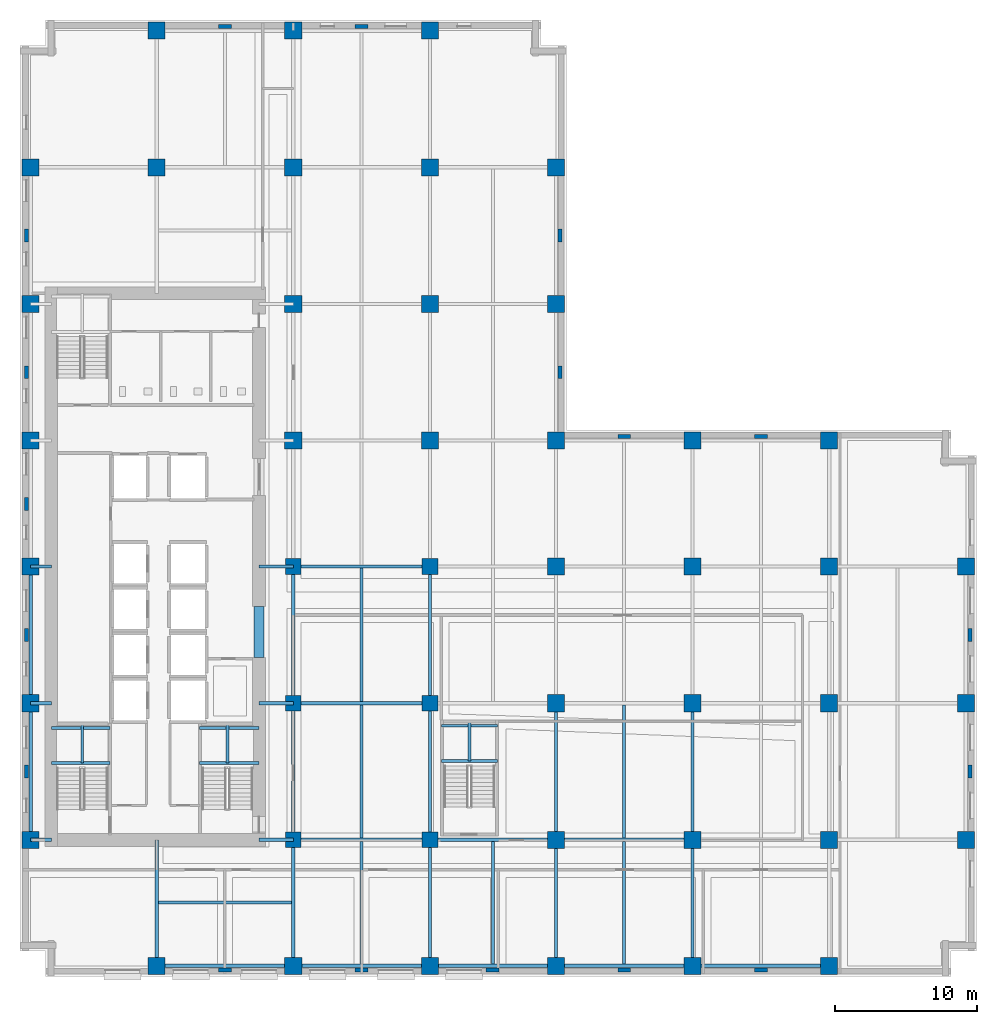
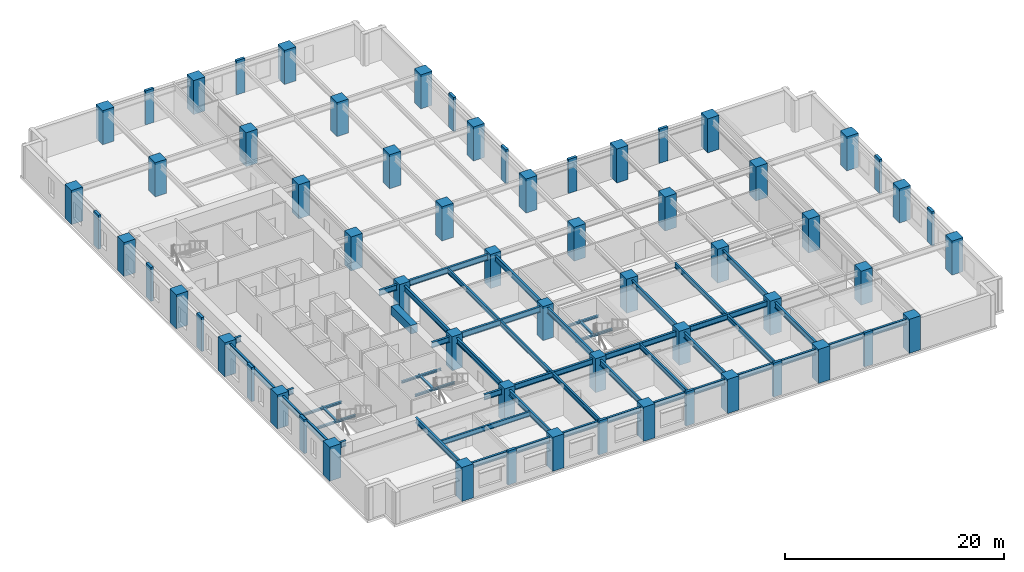
# One storey, part 1 of 14: 63 columns, 46 beams.
"""IFC4 building model written with IfcOpenShell, lengths in metres."""

from ifc_helpers import new_model, si_unit, direction, frame, origin, origin_2d, place, context, subcontext, project, spatial, rectangle, i_section, extrude, material, material_profile, profile_set, type_object, element, save


model = new_model("IFC4")

# Units and contexts
model_context = context("Model", 3, precision=1e-05, world=origin(), true_north=direction((0.0, 1.0)))
body_context = subcontext(model_context, "Body", "Model", "MODEL_VIEW")
ifc_project = project(units=[si_unit("LENGTHUNIT", "METRE"), si_unit("AREAUNIT", "SQUARE_METRE"), si_unit("VOLUMEUNIT", "CUBIC_METRE"), si_unit("PLANEANGLEUNIT", "RADIAN"), si_unit("MASSUNIT", "GRAM", prefix="KILO")], contexts=[model_context])

# Site, building, storey
site_placement = place(None, origin())
site = spatial("IfcSite", under=ifc_project, at=site_placement, CompositionType="ELEMENT")
building_placement = place(site_placement, origin())
building = spatial("IfcBuilding", under=site, at=building_placement, Name="Norrvale University Quadrangle", CompositionType="ELEMENT")
storey_placement = place(building_placement, frame((0.0, 0.0, 28.0)))
storey = spatial("IfcBuildingStorey", under=building, at=storey_placement, Name="L06", CompositionType="ELEMENT", Elevation=28.0)

# Columns
ifc_material_1 = material(Name="Buff Brick Concrete C60/75", Category="concrete")
ifc_material_profile_1 = material_profile(ifc_material_1, rectangle(XDim=0.89990234375, YDim=0.280029296875, at=origin_2d()), Name="Buff Brick Concrete C60/75")
ifc_profile_set_1 = profile_set([ifc_material_profile_1], Name="Buff Brick Concrete C60/75")
column_type_1 = type_object("IfcColumnType", Name="Column Buff Pier 900x280", PredefinedType="PILASTER", material=ifc_profile_set_1)
for number, where, z_axis, x_axis, name in (
    (1, (0.449951171875, 14.39990234375, 0.0), (0.0, 0.0, 1.0), (0.0, 1.0, 0.0), "Exterior Brick Facade Pilaster L06-01"),
    (2, (0.449951171875, 24.0, 0.0), (0.0, 0.0, 1.0), (0.0, 1.0, 0.0), "Exterior Brick Facade Pilaster L06-02"),
    (3, (0.449951171875, 33.199951171875, 0.0), (0.0, 0.0, 1.0), (0.0, 1.0, 0.0), "Exterior Brick Facade Pilaster L06-03"),
    (4, (0.449951171875, 42.449951171875, 0.0), (0.0, 0.0, 1.0), (0.0, 1.0, 0.0), "Exterior Brick Facade Pilaster L06-04"),
    (5, (0.449951171875, 52.050048828125, 0.0), (0.0, 0.0, 1.0), (0.0, 1.0, 0.0), "Exterior Brick Facade Pilaster L06-05"),
    (6, (14.39990234375, 0.449951171875, 0.0), (0.0, 0.0, 1.0), (1.0, 0.0, 0.0), "Exterior Brick Facade Pilaster L06-06"),
    (7, (24.0, 0.449951171875, 0.0), (0.0, 0.0, 1.0), (1.0, 0.0, 0.0), "Exterior Brick Facade Pilaster L06-07"),
    (8, (33.199951171875, 0.449951171875, 0.0), (0.0, 0.0, 1.0), (1.0, 0.0, 0.0), "Exterior Brick Facade Pilaster L06-08"),
    (9, (42.449951171875, 0.449951171875, 0.0), (0.0, 0.0, 1.0), (1.0, 0.0, 0.0), "Exterior Brick Facade Pilaster L06-09"),
    (10, (52.050048828125, 0.449951171875, 0.0), (0.0, 0.0, 1.0), (1.0, 0.0, 0.0), "Exterior Brick Facade Pilaster L06-10"),
    (11, (66.75, 14.39990234375, 0.0), (0.0, 0.0, 1.0), (0.0, 1.0, 0.0), "Exterior Brick Facade Pilaster L06-11"),
    (12, (66.75, 24.0, 0.0), (0.0, 0.0, 1.0), (0.0, 1.0, 0.0), "Exterior Brick Facade Pilaster L06-12"),
    (13, (14.39990234375, 66.75, 0.0), (0.0, 0.0, 1.0), (1.0, 0.0, 0.0), "Exterior Brick Facade Pilaster L06-13"),
    (14, (24.0, 66.75, 0.0), (0.0, 0.0, 1.0), (1.0, 0.0, 0.0), "Exterior Brick Facade Pilaster L06-14"),
    (15, (37.949951171875, 42.449951171875, 0.0), (0.0, 0.0, 1.0), (0.0, 1.0, 0.0), "Exterior Brick Facade Pilaster L06-15"),
    (16, (37.949951171875, 52.050048828125, 0.0), (0.0, 0.0, 1.0), (0.0, 1.0, 0.0), "Exterior Brick Facade Pilaster L06-16"),
    (17, (42.449951171875, 37.949951171875, 0.0), (0.0, 0.0, 1.0), (1.0, 0.0, 0.0), "Exterior Brick Facade Pilaster L06-17"),
    (18, (52.050048828125, 37.949951171875, 0.0), (0.0, 0.0, 1.0), (1.0, 0.0, 0.0), "Exterior Brick Facade Pilaster L06-18"),
):
    element("IfcColumn", number, at=place(storey_placement, frame(where, z_axis=z_axis, x_axis=x_axis)), inside=storey, type_object=column_type_1, Name=name, PredefinedType="PILASTER", context=body_context, shape_type="SweptSolid", body=[
        extrude(rectangle(XDim=0.89990234375, YDim=0.280029296875, at=origin_2d()), origin(), (0.0, 0.0, 1.0), 3.800048828125),
    ])
ifc_material_2 = material(Name="Concrete C80/95", Category="concrete")
ifc_material_profile_2 = material_profile(ifc_material_2, rectangle(XDim=1.10009765625, YDim=1.10009765625, at=origin_2d()), Name="Concrete C80/95")
ifc_profile_set_2 = profile_set([ifc_material_profile_2], Name="Concrete C80/95")
column_type_2 = type_object("IfcColumnType", Name="Column Tower Z1 1100x1100", PredefinedType="COLUMN", material=ifc_profile_set_2)
for number, where, z_axis, x_axis, name in (
    (19, (19.199951171875, 9.60009765625, 0.0), (0.0, 0.0, 1.0), (1.0, 0.0, 0.0), "Tower Column L06-T11"),
    (20, (19.199951171875, 19.199951171875, 0.0), (0.0, 0.0, 1.0), (1.0, 0.0, 0.0), "Tower Column L06-T12"),
    (21, (19.199951171875, 28.800048828125, 0.0), (0.0, 0.0, 1.0), (1.0, 0.0, 0.0), "Tower Column L06-T13"),
    (22, (28.800048828125, 9.60009765625, 0.0), (0.0, 0.0, 1.0), (1.0, 0.0, 0.0), "Tower Column L06-T19"),
    (23, (28.800048828125, 19.199951171875, 0.0), (0.0, 0.0, 1.0), (1.0, 0.0, 0.0), "Tower Column L06-T20"),
    (24, (28.800048828125, 28.800048828125, 0.0), (0.0, 0.0, 1.0), (1.0, 0.0, 0.0), "Tower Column L06-T21"),
):
    element("IfcColumn", number, at=place(storey_placement, frame(where, z_axis=z_axis, x_axis=x_axis)), inside=storey, type_object=column_type_2, Name=name, PredefinedType="COLUMN", context=body_context, shape_type="SweptSolid", body=[
        extrude(rectangle(XDim=1.10009765625, YDim=1.10009765625, at=origin_2d()), origin(), (0.0, 0.0, 1.0), 3.800048828125),
    ])
ifc_material_profile_3 = material_profile(ifc_material_2, rectangle(XDim=1.199951171875, YDim=1.199951171875, at=origin_2d()), Name="Concrete C80/95")
ifc_profile_set_3 = profile_set([ifc_material_profile_3], Name="Concrete C80/95")
column_type_3 = type_object("IfcColumnType", Name="Column Tower Z1 1200x1200", PredefinedType="COLUMN", material=ifc_profile_set_3)
for number, where, z_axis, x_axis, name in (
    (25, (0.75, 9.60009765625, 0.0), (0.0, 0.0, 1.0), (1.0, 0.0, 0.0), "Tower Column L06-T01"),
    (26, (0.75, 19.199951171875, 0.0), (0.0, 0.0, 1.0), (1.0, 0.0, 0.0), "Tower Column L06-T02"),
    (27, (0.75, 28.800048828125, 0.0), (0.0, 0.0, 1.0), (1.0, 0.0, 0.0), "Tower Column L06-T03"),
    (28, (0.75, 37.64990234375, 0.0), (0.0, 0.0, 1.0), (1.0, 0.0, 0.0), "Tower Column L06-T04"),
    (29, (0.75, 47.25, 0.0), (0.0, 0.0, 1.0), (1.0, 0.0, 0.0), "Tower Column L06-T05"),
    (30, (0.75, 56.85009765625, 0.0), (0.0, 0.0, 1.0), (1.0, 0.0, 0.0), "Tower Column L06-T06"),
    (31, (9.60009765625, 0.75, 0.0), (0.0, 0.0, 1.0), (1.0, 0.0, 0.0), "Tower Column L06-T07"),
    (32, (9.60009765625, 56.85009765625, 0.0), (0.0, 0.0, 1.0), (1.0, 0.0, 0.0), "Tower Column L06-T08"),
    (33, (9.60009765625, 66.449951171875, 0.0), (0.0, 0.0, 1.0), (1.0, 0.0, 0.0), "Tower Column L06-T09"),
    (34, (19.199951171875, 0.75, 0.0), (0.0, 0.0, 1.0), (1.0, 0.0, 0.0), "Tower Column L06-T10"),
    (35, (19.199951171875, 37.64990234375, 0.0), (0.0, 0.0, 1.0), (1.0, 0.0, 0.0), "Tower Column L06-T14"),
    (36, (19.199951171875, 47.25, 0.0), (0.0, 0.0, 1.0), (1.0, 0.0, 0.0), "Tower Column L06-T15"),
    (37, (19.199951171875, 56.85009765625, 0.0), (0.0, 0.0, 1.0), (1.0, 0.0, 0.0), "Tower Column L06-T16"),
    (38, (19.199951171875, 66.449951171875, 0.0), (0.0, 0.0, 1.0), (1.0, 0.0, 0.0), "Tower Column L06-T17"),
    (39, (28.800048828125, 0.75, 0.0), (0.0, 0.0, 1.0), (1.0, 0.0, 0.0), "Tower Column L06-T18"),
    (40, (28.800048828125, 37.64990234375, 0.0), (0.0, 0.0, 1.0), (1.0, 0.0, 0.0), "Tower Column L06-T22"),
    (41, (28.800048828125, 47.25, 0.0), (0.0, 0.0, 1.0), (1.0, 0.0, 0.0), "Tower Column L06-T23"),
    (42, (28.800048828125, 56.85009765625, 0.0), (0.0, 0.0, 1.0), (1.0, 0.0, 0.0), "Tower Column L06-T24"),
    (43, (28.800048828125, 66.449951171875, 0.0), (0.0, 0.0, 1.0), (1.0, 0.0, 0.0), "Tower Column L06-T25"),
    (44, (37.64990234375, 0.75, 0.0), (0.0, 0.0, 1.0), (1.0, 0.0, 0.0), "Tower Column L06-T26"),
    (45, (37.64990234375, 9.60009765625, 0.0), (0.0, 0.0, 1.0), (1.0, 0.0, 0.0), "Tower Column L06-T27"),
    (46, (37.64990234375, 19.199951171875, 0.0), (0.0, 0.0, 1.0), (1.0, 0.0, 0.0), "Tower Column L06-T28"),
    (47, (37.64990234375, 28.800048828125, 0.0), (0.0, 0.0, 1.0), (1.0, 0.0, 0.0), "Tower Column L06-T29"),
    (48, (37.64990234375, 37.64990234375, 0.0), (0.0, 0.0, 1.0), (1.0, 0.0, 0.0), "Tower Column L06-T30"),
    (49, (37.64990234375, 47.25, 0.0), (0.0, 0.0, 1.0), (1.0, 0.0, 0.0), "Tower Column L06-T31"),
    (50, (37.64990234375, 56.85009765625, 0.0), (0.0, 0.0, 1.0), (1.0, 0.0, 0.0), "Tower Column L06-T32"),
    (51, (47.25, 0.75, 0.0), (0.0, 0.0, 1.0), (1.0, 0.0, 0.0), "Tower Column L06-T33"),
    (52, (47.25, 9.60009765625, 0.0), (0.0, 0.0, 1.0), (1.0, 0.0, 0.0), "Tower Column L06-T34"),
    (53, (47.25, 19.199951171875, 0.0), (0.0, 0.0, 1.0), (1.0, 0.0, 0.0), "Tower Column L06-T35"),
    (54, (47.25, 28.800048828125, 0.0), (0.0, 0.0, 1.0), (1.0, 0.0, 0.0), "Tower Column L06-T36"),
    (55, (47.25, 37.64990234375, 0.0), (0.0, 0.0, 1.0), (1.0, 0.0, 0.0), "Tower Column L06-T37"),
    (56, (56.85009765625, 0.75, 0.0), (0.0, 0.0, 1.0), (1.0, 0.0, 0.0), "Tower Column L06-T38"),
    (57, (56.85009765625, 9.60009765625, 0.0), (0.0, 0.0, 1.0), (1.0, 0.0, 0.0), "Tower Column L06-T39"),
    (58, (56.85009765625, 19.199951171875, 0.0), (0.0, 0.0, 1.0), (1.0, 0.0, 0.0), "Tower Column L06-T40"),
    (59, (56.85009765625, 28.800048828125, 0.0), (0.0, 0.0, 1.0), (1.0, 0.0, 0.0), "Tower Column L06-T41"),
    (60, (56.85009765625, 37.64990234375, 0.0), (0.0, 0.0, 1.0), (1.0, 0.0, 0.0), "Tower Column L06-T42"),
    (61, (66.449951171875, 9.60009765625, 0.0), (0.0, 0.0, 1.0), (1.0, 0.0, 0.0), "Tower Column L06-T43"),
    (62, (66.449951171875, 19.199951171875, 0.0), (0.0, 0.0, 1.0), (1.0, 0.0, 0.0), "Tower Column L06-T44"),
    (63, (66.449951171875, 28.800048828125, 0.0), (0.0, 0.0, 1.0), (1.0, 0.0, 0.0), "Tower Column L06-T45"),
):
    element("IfcColumn", number, at=place(storey_placement, frame(where, z_axis=z_axis, x_axis=x_axis)), inside=storey, type_object=column_type_3, Name=name, PredefinedType="COLUMN", context=body_context, shape_type="SweptSolid", body=[
        extrude(rectangle(XDim=1.199951171875, YDim=1.199951171875, at=origin_2d()), origin(), (0.0, 0.0, 1.0), 3.800048828125),
    ])

# Beams
ifc_material_profile_4 = material_profile(ifc_material_2, rectangle(XDim=0.699951171875, YDim=0.949951171875, at=origin_2d()), Name="Concrete C80/95")
ifc_profile_set_4 = profile_set([ifc_material_profile_4], Name="Concrete C80/95")
beam_type_1 = type_object("IfcBeamType", Name="Beam Core Link 700x950", PredefinedType="LINTEL", material=ifc_profile_set_4)
beam_1_placement = place(storey_placement, frame((16.800048828125, 22.39990234375, 3.06494140625), z_axis=(0.0, 1.0, 0.0), x_axis=(-1.0, 0.0, 0.0)))
element("IfcBeam", 64, at=beam_1_placement, inside=storey, type_object=beam_type_1, Name="Core Coupling Lintel Beam L06-1", PredefinedType="LINTEL", context=body_context, shape_type="SweptSolid", body=[
    extrude(rectangle(XDim=0.699951171875, YDim=0.949951171875, at=origin_2d()), origin(), (0.0, 0.0, 1.0), 3.60009765625),
])
ifc_material_3 = material(Name="Steel 350W", Category="steel")
ifc_material_profile_5 = material_profile(ifc_material_3, i_section(OverallWidth=0.208984375, OverallDepth=0.532958984375, WebThickness=0.01025390625, FlangeThickness=0.015625, FilletRadius=0.013916015625, at=origin_2d()), Name="Steel 350W")
ifc_profile_set_5 = profile_set([ifc_material_profile_5], Name="Steel 350W")
beam_type_2 = type_object("IfcBeamType", Name="Beam Floor W530x92", PredefinedType="JOIST", material=ifc_profile_set_5)
beam_2_placement = place(storey_placement, frame((24.0, 0.864990234375, 3.2734375), z_axis=(0.0, 1.0, 0.0), x_axis=(-1.0, 0.0, 0.0)))
element("IfcBeam", 65, at=beam_2_placement, inside=storey, type_object=beam_type_2, Name="Beam Floor W530x92 BM-L06-J080", PredefinedType="JOIST", context=body_context, shape_type="SweptSolid", body=[
    extrude(i_section(OverallWidth=0.208984375, OverallDepth=0.532958984375, WebThickness=0.01025390625, FlangeThickness=0.015625, FilletRadius=0.013916015625, at=origin_2d()), origin(), (0.0, 0.0, 1.0), 8.6201171875),
])
beam_3_placement = place(storey_placement, frame((24.0, 9.715087890625, 3.2734375), z_axis=(0.0, 1.0, 0.0), x_axis=(-1.0, 0.0, 0.0)))
element("IfcBeam", 66, at=beam_3_placement, inside=storey, type_object=beam_type_2, Name="Beam Floor W530x92 BM-L06-J081", PredefinedType="JOIST", context=body_context, shape_type="SweptSolid", body=[
    extrude(i_section(OverallWidth=0.208984375, OverallDepth=0.532958984375, WebThickness=0.01025390625, FlangeThickness=0.015625, FilletRadius=0.013916015625, at=origin_2d()), origin(), (0.0, 0.0, 1.0), 9.369873046875),
])
beam_4_placement = place(storey_placement, frame((24.0, 19.31494140625, 3.2734375), z_axis=(0.0, 1.0, 0.0), x_axis=(-1.0, 0.0, 0.0)))
element("IfcBeam", 67, at=beam_4_placement, inside=storey, type_object=beam_type_2, Name="Beam Floor W530x92 BM-L06-J082", PredefinedType="JOIST", context=body_context, shape_type="SweptSolid", body=[
    extrude(i_section(OverallWidth=0.208984375, OverallDepth=0.532958984375, WebThickness=0.01025390625, FlangeThickness=0.015625, FilletRadius=0.013916015625, at=origin_2d()), origin(), (0.0, 0.0, 1.0), 9.3701171875),
])
for number, where, z_axis, x_axis, name in (
    (68, (33.22509765625, 0.864990234375, 3.2734375), (0.0, 1.0, 0.0), (-1.0, 0.0, 0.0), "Beam Floor W530x92 BM-L06-J087"),
    (69, (42.449951171875, 0.864990234375, 3.2734375), (0.0, 1.0, 0.0), (-1.0, 0.0, 0.0), "Beam Floor W530x92 BM-L06-J092"),
):
    element("IfcBeam", number, at=place(storey_placement, frame(where, z_axis=z_axis, x_axis=x_axis)), inside=storey, type_object=beam_type_2, Name=name, PredefinedType="JOIST", context=body_context, shape_type="SweptSolid", body=[
        extrude(i_section(OverallWidth=0.208984375, OverallDepth=0.532958984375, WebThickness=0.01025390625, FlangeThickness=0.015625, FilletRadius=0.013916015625, at=origin_2d()), origin(), (0.0, 0.0, 1.0), 8.6201171875),
    ])
for number, where, z_axis, x_axis, name in (
    (70, (42.449951171875, 9.715087890625, 3.2734375), (0.0, 1.0, 0.0), (-1.0, 0.0, 0.0), "Beam Floor W530x92 BM-L06-J093"),
    (71, (9.715087890625, 5.199951171875, 3.2734375), (1.0, 0.0, 0.0), (0.0, 1.0, 0.0), "Beam Floor W530x92 BM-L06-JCS103"),
):
    element("IfcBeam", number, at=place(storey_placement, frame(where, z_axis=z_axis, x_axis=x_axis)), inside=storey, type_object=beam_type_2, Name=name, PredefinedType="JOIST", context=body_context, shape_type="SweptSolid", body=[
        extrude(i_section(OverallWidth=0.208984375, OverallDepth=0.532958984375, WebThickness=0.01025390625, FlangeThickness=0.015625, FilletRadius=0.013916015625, at=origin_2d()), origin(), (0.0, 0.0, 1.0), 9.369873046875),
    ])
ifc_material_profile_6 = material_profile(ifc_material_3, i_section(OverallWidth=0.22998046875, OverallDepth=0.616943359375, WebThickness=0.01318359375, FlangeThickness=0.022216796875, FilletRadius=0.01611328125, at=origin_2d()), Name="Steel 350W")
ifc_profile_set_6 = profile_set([ifc_material_profile_6], Name="Steel 350W")
beam_type_3 = type_object("IfcBeamType", Name="Beam Floor W610x140", PredefinedType="BEAM", material=ifc_profile_set_6)
beam_5_placement = place(storey_placement, frame((9.60009765625, 0.75, 3.2314453125), z_axis=(1.0, 0.0, 0.0), x_axis=(0.0, 1.0, 0.0)))
element("IfcBeam", 72, at=beam_5_placement, inside=storey, type_object=beam_type_3, Name="Beam Floor W610x140 BM-L06-GX001", PredefinedType="BEAM", context=body_context, shape_type="SweptSolid", body=[
    extrude(i_section(OverallWidth=0.22998046875, OverallDepth=0.616943359375, WebThickness=0.01318359375, FlangeThickness=0.022216796875, FilletRadius=0.01611328125, at=origin_2d()), origin(), (0.0, 0.0, 1.0), 9.599853515625),
])
beam_6_placement = place(storey_placement, frame((19.199951171875, 0.75, 3.2314453125), z_axis=(1.0, 0.0, 0.0), x_axis=(0.0, 1.0, 0.0)))
element("IfcBeam", 73, at=beam_6_placement, inside=storey, type_object=beam_type_3, Name="Beam Floor W610x140 BM-L06-GX002", PredefinedType="BEAM", context=body_context, shape_type="SweptSolid", body=[
    extrude(i_section(OverallWidth=0.22998046875, OverallDepth=0.616943359375, WebThickness=0.01318359375, FlangeThickness=0.022216796875, FilletRadius=0.01611328125, at=origin_2d()), origin(), (0.0, 0.0, 1.0), 9.60009765625),
])
beam_7_placement = place(storey_placement, frame((28.800048828125, 0.75, 3.2314453125), z_axis=(1.0, 0.0, 0.0), x_axis=(0.0, 1.0, 0.0)))
element("IfcBeam", 74, at=beam_7_placement, inside=storey, type_object=beam_type_3, Name="Beam Floor W610x140 BM-L06-GX003", PredefinedType="BEAM", context=body_context, shape_type="SweptSolid", body=[
    extrude(i_section(OverallWidth=0.22998046875, OverallDepth=0.616943359375, WebThickness=0.01318359375, FlangeThickness=0.022216796875, FilletRadius=0.01611328125, at=origin_2d()), origin(), (0.0, 0.0, 1.0), 8.849853515625),
])
for number, where, z_axis, x_axis, name in (
    (75, (37.64990234375, 0.75, 3.2314453125), (1.0, 0.0, 0.0), (0.0, 1.0, 0.0), "Beam Floor W610x140 BM-L06-GX004"),
    (76, (47.25, 0.75, 3.2314453125), (1.0, 0.0, 0.0), (0.0, 1.0, 0.0), "Beam Floor W610x140 BM-L06-GX005"),
    (77, (19.199951171875, 9.60009765625, 3.2314453125), (1.0, 0.0, 0.0), (0.0, 1.0, 0.0), "Beam Floor W610x140 BM-L06-GX006"),
):
    element("IfcBeam", number, at=place(storey_placement, frame(where, z_axis=z_axis, x_axis=x_axis)), inside=storey, type_object=beam_type_3, Name=name, PredefinedType="BEAM", context=body_context, shape_type="SweptSolid", body=[
        extrude(i_section(OverallWidth=0.22998046875, OverallDepth=0.616943359375, WebThickness=0.01318359375, FlangeThickness=0.022216796875, FilletRadius=0.01611328125, at=origin_2d()), origin(), (0.0, 0.0, 1.0), 9.60009765625),
    ])
beam_8_placement = place(storey_placement, frame((28.800048828125, 9.60009765625, 3.2314453125), z_axis=(1.0, 0.0, 0.0), x_axis=(0.0, 1.0, 0.0)))
element("IfcBeam", 78, at=beam_8_placement, inside=storey, type_object=beam_type_3, Name="Beam Floor W610x140 BM-L06-GX007", PredefinedType="BEAM", context=body_context, shape_type="SweptSolid", body=[
    extrude(i_section(OverallWidth=0.22998046875, OverallDepth=0.616943359375, WebThickness=0.01318359375, FlangeThickness=0.022216796875, FilletRadius=0.01611328125, at=origin_2d()), origin(), (0.0, 0.0, 1.0), 8.849853515625),
])
for number, where, z_axis, x_axis, name in (
    (79, (37.64990234375, 9.60009765625, 3.2314453125), (1.0, 0.0, 0.0), (0.0, 1.0, 0.0), "Beam Floor W610x140 BM-L06-GX008"),
    (80, (19.199951171875, 19.199951171875, 3.2314453125), (1.0, 0.0, 0.0), (0.0, 1.0, 0.0), "Beam Floor W610x140 BM-L06-GX011"),
    (81, (19.199951171875, 28.800048828125, 3.2314453125), (1.0, 0.0, 0.0), (0.0, 1.0, 0.0), "Beam Floor W610x140 BM-L06-GX016"),
):
    element("IfcBeam", number, at=place(storey_placement, frame(where, z_axis=z_axis, x_axis=x_axis)), inside=storey, type_object=beam_type_3, Name=name, PredefinedType="BEAM", context=body_context, shape_type="SweptSolid", body=[
        extrude(i_section(OverallWidth=0.22998046875, OverallDepth=0.616943359375, WebThickness=0.01318359375, FlangeThickness=0.022216796875, FilletRadius=0.01611328125, at=origin_2d()), origin(), (0.0, 0.0, 1.0), 9.60009765625),
    ])
beam_9_placement = place(storey_placement, frame((0.75, 9.60009765625, 3.2314453125), z_axis=(0.0, 1.0, 0.0), x_axis=(-1.0, 0.0, 0.0)))
element("IfcBeam", 82, at=beam_9_placement, inside=storey, type_object=beam_type_3, Name="Beam Floor W610x140 BM-L06-GY033", PredefinedType="BEAM", context=body_context, shape_type="SweptSolid", body=[
    extrude(i_section(OverallWidth=0.22998046875, OverallDepth=0.616943359375, WebThickness=0.01318359375, FlangeThickness=0.022216796875, FilletRadius=0.01611328125, at=origin_2d()), origin(), (0.0, 0.0, 1.0), 9.599853515625),
])
beam_10_placement = place(storey_placement, frame((0.75, 19.199951171875, 3.2314453125), z_axis=(0.0, 1.0, 0.0), x_axis=(-1.0, 0.0, 0.0)))
element("IfcBeam", 83, at=beam_10_placement, inside=storey, type_object=beam_type_3, Name="Beam Floor W610x140 BM-L06-GY034", PredefinedType="BEAM", context=body_context, shape_type="SweptSolid", body=[
    extrude(i_section(OverallWidth=0.22998046875, OverallDepth=0.616943359375, WebThickness=0.01318359375, FlangeThickness=0.022216796875, FilletRadius=0.01611328125, at=origin_2d()), origin(), (0.0, 0.0, 1.0), 9.60009765625),
])
beam_11_placement = place(storey_placement, frame((19.199951171875, 0.75, 3.2314453125), z_axis=(0.0, 1.0, 0.0), x_axis=(-1.0, 0.0, 0.0)))
element("IfcBeam", 84, at=beam_11_placement, inside=storey, type_object=beam_type_3, Name="Beam Floor W610x140 BM-L06-GY039", PredefinedType="BEAM", context=body_context, shape_type="SweptSolid", body=[
    extrude(i_section(OverallWidth=0.22998046875, OverallDepth=0.616943359375, WebThickness=0.01318359375, FlangeThickness=0.022216796875, FilletRadius=0.01611328125, at=origin_2d()), origin(), (0.0, 0.0, 1.0), 8.85009765625),
])
beam_12_placement = place(storey_placement, frame((19.199951171875, 9.60009765625, 3.2314453125), z_axis=(0.0, 1.0, 0.0), x_axis=(-1.0, 0.0, 0.0)))
element("IfcBeam", 85, at=beam_12_placement, inside=storey, type_object=beam_type_3, Name="Beam Floor W610x140 BM-L06-GY040", PredefinedType="BEAM", context=body_context, shape_type="SweptSolid", body=[
    extrude(i_section(OverallWidth=0.22998046875, OverallDepth=0.616943359375, WebThickness=0.01318359375, FlangeThickness=0.022216796875, FilletRadius=0.01611328125, at=origin_2d()), origin(), (0.0, 0.0, 1.0), 9.599853515625),
])
beam_13_placement = place(storey_placement, frame((19.199951171875, 19.199951171875, 3.2314453125), z_axis=(0.0, 1.0, 0.0), x_axis=(-1.0, 0.0, 0.0)))
element("IfcBeam", 86, at=beam_13_placement, inside=storey, type_object=beam_type_3, Name="Beam Floor W610x140 BM-L06-GY041", PredefinedType="BEAM", context=body_context, shape_type="SweptSolid", body=[
    extrude(i_section(OverallWidth=0.22998046875, OverallDepth=0.616943359375, WebThickness=0.01318359375, FlangeThickness=0.022216796875, FilletRadius=0.01611328125, at=origin_2d()), origin(), (0.0, 0.0, 1.0), 9.60009765625),
])
beam_14_placement = place(storey_placement, frame((28.800048828125, 0.75, 3.2314453125), z_axis=(0.0, 1.0, 0.0), x_axis=(-1.0, 0.0, 0.0)))
element("IfcBeam", 87, at=beam_14_placement, inside=storey, type_object=beam_type_3, Name="Beam Floor W610x140 BM-L06-GY046", PredefinedType="BEAM", context=body_context, shape_type="SweptSolid", body=[
    extrude(i_section(OverallWidth=0.22998046875, OverallDepth=0.616943359375, WebThickness=0.01318359375, FlangeThickness=0.022216796875, FilletRadius=0.01611328125, at=origin_2d()), origin(), (0.0, 0.0, 1.0), 8.85009765625),
])
beam_15_placement = place(storey_placement, frame((28.800048828125, 9.60009765625, 3.2314453125), z_axis=(0.0, 1.0, 0.0), x_axis=(-1.0, 0.0, 0.0)))
element("IfcBeam", 88, at=beam_15_placement, inside=storey, type_object=beam_type_3, Name="Beam Floor W610x140 BM-L06-GY047", PredefinedType="BEAM", context=body_context, shape_type="SweptSolid", body=[
    extrude(i_section(OverallWidth=0.22998046875, OverallDepth=0.616943359375, WebThickness=0.01318359375, FlangeThickness=0.022216796875, FilletRadius=0.01611328125, at=origin_2d()), origin(), (0.0, 0.0, 1.0), 9.599853515625),
])
beam_16_placement = place(storey_placement, frame((28.800048828125, 19.199951171875, 3.2314453125), z_axis=(0.0, 1.0, 0.0), x_axis=(-1.0, 0.0, 0.0)))
element("IfcBeam", 89, at=beam_16_placement, inside=storey, type_object=beam_type_3, Name="Beam Floor W610x140 BM-L06-GY048", PredefinedType="BEAM", context=body_context, shape_type="SweptSolid", body=[
    extrude(i_section(OverallWidth=0.22998046875, OverallDepth=0.616943359375, WebThickness=0.01318359375, FlangeThickness=0.022216796875, FilletRadius=0.01611328125, at=origin_2d()), origin(), (0.0, 0.0, 1.0), 9.60009765625),
])
beam_17_placement = place(storey_placement, frame((37.64990234375, 0.75, 3.2314453125), z_axis=(0.0, 1.0, 0.0), x_axis=(-1.0, 0.0, 0.0)))
element("IfcBeam", 90, at=beam_17_placement, inside=storey, type_object=beam_type_3, Name="Beam Floor W610x140 BM-L06-GY053", PredefinedType="BEAM", context=body_context, shape_type="SweptSolid", body=[
    extrude(i_section(OverallWidth=0.22998046875, OverallDepth=0.616943359375, WebThickness=0.01318359375, FlangeThickness=0.022216796875, FilletRadius=0.01611328125, at=origin_2d()), origin(), (0.0, 0.0, 1.0), 8.85009765625),
])
beam_18_placement = place(storey_placement, frame((37.64990234375, 9.60009765625, 3.2314453125), z_axis=(0.0, 1.0, 0.0), x_axis=(-1.0, 0.0, 0.0)))
element("IfcBeam", 91, at=beam_18_placement, inside=storey, type_object=beam_type_3, Name="Beam Floor W610x140 BM-L06-GY054", PredefinedType="BEAM", context=body_context, shape_type="SweptSolid", body=[
    extrude(i_section(OverallWidth=0.22998046875, OverallDepth=0.616943359375, WebThickness=0.01318359375, FlangeThickness=0.022216796875, FilletRadius=0.01611328125, at=origin_2d()), origin(), (0.0, 0.0, 1.0), 9.599853515625),
])
beam_19_placement = place(storey_placement, frame((47.25, 0.75, 3.2314453125), z_axis=(0.0, 1.0, 0.0), x_axis=(-1.0, 0.0, 0.0)))
element("IfcBeam", 92, at=beam_19_placement, inside=storey, type_object=beam_type_3, Name="Beam Floor W610x140 BM-L06-GY059", PredefinedType="BEAM", context=body_context, shape_type="SweptSolid", body=[
    extrude(i_section(OverallWidth=0.22998046875, OverallDepth=0.616943359375, WebThickness=0.01318359375, FlangeThickness=0.022216796875, FilletRadius=0.01611328125, at=origin_2d()), origin(), (0.0, 0.0, 1.0), 8.85009765625),
])
beam_20_placement = place(storey_placement, frame((47.25, 9.60009765625, 3.2314453125), z_axis=(0.0, 1.0, 0.0), x_axis=(-1.0, 0.0, 0.0)))
element("IfcBeam", 93, at=beam_20_placement, inside=storey, type_object=beam_type_3, Name="Beam Floor W610x140 BM-L06-GY060", PredefinedType="BEAM", context=body_context, shape_type="SweptSolid", body=[
    extrude(i_section(OverallWidth=0.22998046875, OverallDepth=0.616943359375, WebThickness=0.01318359375, FlangeThickness=0.022216796875, FilletRadius=0.01611328125, at=origin_2d()), origin(), (0.0, 0.0, 1.0), 9.599853515625),
])
beam_21_placement = place(storey_placement, frame((0.75, 9.60009765625, 3.2314453125), z_axis=(1.0, 0.0, 0.0), x_axis=(0.0, 1.0, 0.0)))
element("IfcBeam", 94, at=beam_21_placement, inside=storey, type_object=beam_type_3, Name="Beam Floor W610x140 BM-L06-GCW069", PredefinedType="BEAM", context=body_context, shape_type="SweptSolid", body=[
    extrude(i_section(OverallWidth=0.22998046875, OverallDepth=0.616943359375, WebThickness=0.01318359375, FlangeThickness=0.022216796875, FilletRadius=0.01611328125, at=origin_2d()), origin(), (0.0, 0.0, 1.0), 1.449951171875),
])
beam_22_placement = place(storey_placement, frame((16.800048828125, 9.60009765625, 3.2314453125), z_axis=(1.0, 0.0, 0.0), x_axis=(0.0, 1.0, 0.0)))
element("IfcBeam", 95, at=beam_22_placement, inside=storey, type_object=beam_type_3, Name="Beam Floor W610x140 BM-L06-GCE070", PredefinedType="BEAM", context=body_context, shape_type="SweptSolid", body=[
    extrude(i_section(OverallWidth=0.22998046875, OverallDepth=0.616943359375, WebThickness=0.01318359375, FlangeThickness=0.022216796875, FilletRadius=0.01611328125, at=origin_2d()), origin(), (0.0, 0.0, 1.0), 2.39990234375),
])
beam_23_placement = place(storey_placement, frame((0.75, 19.199951171875, 3.2314453125), z_axis=(1.0, 0.0, 0.0), x_axis=(0.0, 1.0, 0.0)))
element("IfcBeam", 96, at=beam_23_placement, inside=storey, type_object=beam_type_3, Name="Beam Floor W610x140 BM-L06-GCW071", PredefinedType="BEAM", context=body_context, shape_type="SweptSolid", body=[
    extrude(i_section(OverallWidth=0.22998046875, OverallDepth=0.616943359375, WebThickness=0.01318359375, FlangeThickness=0.022216796875, FilletRadius=0.01611328125, at=origin_2d()), origin(), (0.0, 0.0, 1.0), 1.449951171875),
])
beam_24_placement = place(storey_placement, frame((16.800048828125, 19.199951171875, 3.2314453125), z_axis=(1.0, 0.0, 0.0), x_axis=(0.0, 1.0, 0.0)))
element("IfcBeam", 97, at=beam_24_placement, inside=storey, type_object=beam_type_3, Name="Beam Floor W610x140 BM-L06-GCE072", PredefinedType="BEAM", context=body_context, shape_type="SweptSolid", body=[
    extrude(i_section(OverallWidth=0.22998046875, OverallDepth=0.616943359375, WebThickness=0.01318359375, FlangeThickness=0.022216796875, FilletRadius=0.01611328125, at=origin_2d()), origin(), (0.0, 0.0, 1.0), 2.39990234375),
])
beam_25_placement = place(storey_placement, frame((0.75, 28.800048828125, 3.2314453125), z_axis=(1.0, 0.0, 0.0), x_axis=(0.0, 1.0, 0.0)))
element("IfcBeam", 98, at=beam_25_placement, inside=storey, type_object=beam_type_3, Name="Beam Floor W610x140 BM-L06-GCW073", PredefinedType="BEAM", context=body_context, shape_type="SweptSolid", body=[
    extrude(i_section(OverallWidth=0.22998046875, OverallDepth=0.616943359375, WebThickness=0.01318359375, FlangeThickness=0.022216796875, FilletRadius=0.01611328125, at=origin_2d()), origin(), (0.0, 0.0, 1.0), 1.449951171875),
])
beam_26_placement = place(storey_placement, frame((16.800048828125, 28.800048828125, 3.2314453125), z_axis=(1.0, 0.0, 0.0), x_axis=(0.0, 1.0, 0.0)))
element("IfcBeam", 99, at=beam_26_placement, inside=storey, type_object=beam_type_3, Name="Beam Floor W610x140 BM-L06-GCE074", PredefinedType="BEAM", context=body_context, shape_type="SweptSolid", body=[
    extrude(i_section(OverallWidth=0.22998046875, OverallDepth=0.616943359375, WebThickness=0.01318359375, FlangeThickness=0.022216796875, FilletRadius=0.01611328125, at=origin_2d()), origin(), (0.0, 0.0, 1.0), 2.39990234375),
])
beam_27_placement = place(storey_placement, frame((9.60009765625, 0.75, 3.2314453125), z_axis=(0.0, 1.0, 0.0), x_axis=(-1.0, 0.0, 0.0)))
element("IfcBeam", 100, at=beam_27_placement, inside=storey, type_object=beam_type_3, Name="Beam Floor W610x140 BM-L06-GCS102", PredefinedType="BEAM", context=body_context, shape_type="SweptSolid", body=[
    extrude(i_section(OverallWidth=0.22998046875, OverallDepth=0.616943359375, WebThickness=0.01318359375, FlangeThickness=0.022216796875, FilletRadius=0.01611328125, at=origin_2d()), origin(), (0.0, 0.0, 1.0), 8.85009765625),
])
ifc_material_profile_7 = material_profile(ifc_material_3, i_section(OverallWidth=0.201904296875, OverallDepth=0.2470703125, WebThickness=0.00732421875, FlangeThickness=0.010986328125, FilletRadius=0.011962890625, at=origin_2d()), Name="Steel 350W")
ifc_profile_set_7 = profile_set([ifc_material_profile_7], Name="Steel 350W")
beam_type_4 = type_object("IfcBeamType", Name="Beam Stair W250x49", PredefinedType="BEAM", material=ifc_profile_set_7)
for number, where, z_axis, x_axis, name in (
    (101, (2.199951171875, 14.989990234375, 1.576416015625), (1.0, 0.0, 0.0), (0.0, 1.0, 0.0), "Stair Mid-Landing Front Beam ST-01 L06"),
    (102, (2.199951171875, 17.469970703125, 1.576416015625), (1.0, 0.0, 0.0), (0.0, 1.0, 0.0), "Stair Mid-Landing Rear Beam ST-01 L06"),
):
    element("IfcBeam", number, at=place(storey_placement, frame(where, z_axis=z_axis, x_axis=x_axis)), inside=storey, type_object=beam_type_4, Name=name, PredefinedType="BEAM", context=body_context, shape_type="SweptSolid", body=[
        extrude(i_section(OverallWidth=0.201904296875, OverallDepth=0.2470703125, WebThickness=0.00732421875, FlangeThickness=0.010986328125, FilletRadius=0.011962890625, at=origin_2d()), origin(), (0.0, 0.0, 1.0), 4.14013671875),
    ])
for number, where, z_axis, x_axis, name in (
    (103, (12.610107421875, 14.989990234375, 1.576416015625), (1.0, 0.0, 0.0), (0.0, 1.0, 0.0), "Stair Mid-Landing Front Beam ST-03 L06"),
    (104, (12.610107421875, 17.469970703125, 1.576416015625), (1.0, 0.0, 0.0), (0.0, 1.0, 0.0), "Stair Mid-Landing Rear Beam ST-03 L06"),
):
    element("IfcBeam", number, at=place(storey_placement, frame(where, z_axis=z_axis, x_axis=x_axis)), inside=storey, type_object=beam_type_4, Name=name, PredefinedType="BEAM", context=body_context, shape_type="SweptSolid", body=[
        extrude(i_section(OverallWidth=0.201904296875, OverallDepth=0.2470703125, WebThickness=0.00732421875, FlangeThickness=0.010986328125, FilletRadius=0.011962890625, at=origin_2d()), origin(), (0.0, 0.0, 1.0), 4.18994140625),
    ])
for number, where, z_axis, x_axis, name in (
    (105, (29.610107421875, 15.139892578125, 1.576416015625), (1.0, 0.0, 0.0), (0.0, 1.0, 0.0), "Stair Mid-Landing Front Beam ST-04 L06"),
    (106, (29.610107421875, 17.6201171875, 1.576416015625), (1.0, 0.0, 0.0), (0.0, 1.0, 0.0), "Stair Mid-Landing Rear Beam ST-04 L06"),
):
    element("IfcBeam", number, at=place(storey_placement, frame(where, z_axis=z_axis, x_axis=x_axis)), inside=storey, type_object=beam_type_4, Name=name, PredefinedType="BEAM", context=body_context, shape_type="SweptSolid", body=[
        extrude(i_section(OverallWidth=0.201904296875, OverallDepth=0.2470703125, WebThickness=0.00732421875, FlangeThickness=0.010986328125, FilletRadius=0.011962890625, at=origin_2d()), origin(), (0.0, 0.0, 1.0), 3.929931640625),
    ])
ifc_material_profile_8 = material_profile(ifc_material_3, i_section(OverallWidth=0.202880859375, OverallDepth=0.202880859375, WebThickness=0.007080078125, FlangeThickness=0.010986328125, FilletRadius=0.010009765625, at=origin_2d()), Name="Steel 350W")
ifc_profile_set_8 = profile_set([ifc_material_profile_8], Name="Steel 350W")
beam_type_5 = type_object("IfcBeamType", Name="Beam Trim W200x46", PredefinedType="BEAM", material=ifc_profile_set_8)
for number, where, z_axis, x_axis, name in (
    (107, (4.375, 14.989990234375, 1.598388671875), (0.0, 1.0, 0.0), (-1.0, 0.0, 0.0), "Stair Mid-Landing Cross Beam ST-01 L06"),
    (108, (14.574951171875, 14.989990234375, 1.598388671875), (0.0, 1.0, 0.0), (-1.0, 0.0, 0.0), "Stair Mid-Landing Cross Beam ST-03 L06"),
    (109, (31.574951171875, 15.139892578125, 1.598388671875), (0.0, 1.0, 0.0), (-1.0, 0.0, 0.0), "Stair Mid-Landing Cross Beam ST-04 L06"),
):
    element("IfcBeam", number, at=place(storey_placement, frame(where, z_axis=z_axis, x_axis=x_axis)), inside=storey, type_object=beam_type_5, Name=name, PredefinedType="BEAM", context=body_context, shape_type="SweptSolid", body=[
        extrude(i_section(OverallWidth=0.202880859375, OverallDepth=0.202880859375, WebThickness=0.007080078125, FlangeThickness=0.010986328125, FilletRadius=0.010009765625, at=origin_2d()), origin(), (0.0, 0.0, 1.0), 2.800048828125),
    ])

save(model, "model.ifc")
